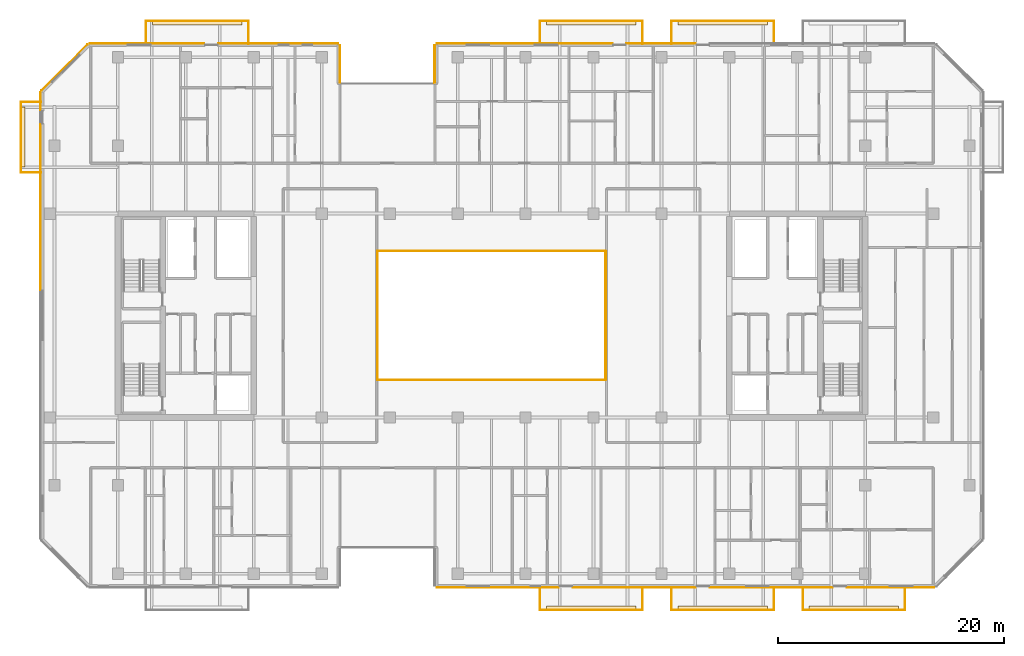
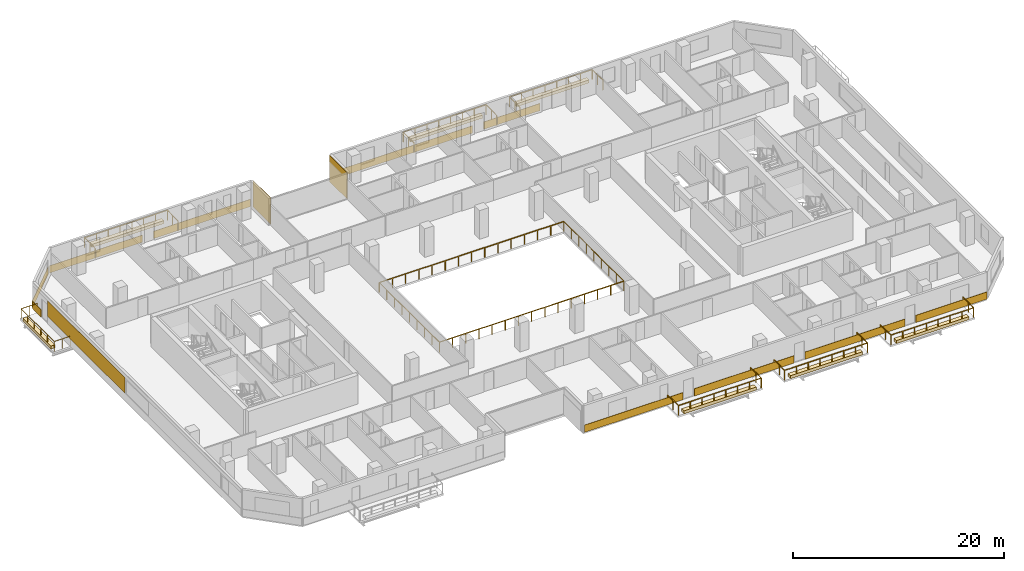
# One storey, part 21 of 23: 20 coverings, 9 railings.
"""IFC4 building model written with IfcOpenShell, lengths in metres."""

from ifc_helpers import new_model, si_unit, direction, frame, origin, origin_2d, place, context, subcontext, project, spatial, polyline, rectangle, outline, extrude, material, layer, layer_set, type_object, element, save


model = new_model("IFC4")

# Units and contexts
model_context = context("Model", 3, precision=1e-05, world=origin(), true_north=direction((0.0, 1.0)))
body_context = subcontext(model_context, "Body", "Model", "MODEL_VIEW")
ifc_project = project(units=[si_unit("LENGTHUNIT", "METRE"), si_unit("AREAUNIT", "SQUARE_METRE"), si_unit("VOLUMEUNIT", "CUBIC_METRE"), si_unit("PLANEANGLEUNIT", "RADIAN"), si_unit("MASSUNIT", "GRAM", prefix="KILO")], contexts=[model_context])

# Site, building, storey
site_placement = place(None, origin())
site = spatial("IfcSite", under=ifc_project, at=site_placement, CompositionType="ELEMENT")
building_placement = place(site_placement, origin())
building = spatial("IfcBuilding", under=site, at=building_placement, Name="Tanjung Sevakor Pilgrim Tower", CompositionType="ELEMENT")
storey_placement = place(building_placement, frame((0.0, 0.0, 88.77001953125)))
storey = spatial("IfcBuildingStorey", under=building, at=storey_placement, Name="L24", CompositionType="ELEMENT", Elevation=88.77001953125)

# Coverings
ifc_material_1 = material(Name="Reconstructed Limestone Cladding", Category="masonry")
ifc_layer_1 = layer(ifc_material_1, 0.044921875)
ifc_layer_set_1 = layer_set([ifc_layer_1], Name="COV-CLAD-LIMESTONE")
covering_type_1 = type_object("IfcCoveringType", Name="COV-CLAD-LIMESTONE", PredefinedType="CLADDING", material=ifc_layer_set_1)
covering_1_placement = place(storey_placement, frame((57.552490234375, 9.577392578125, 0.009765625), z_axis=(0.0, 0.0, 1.0), x_axis=(1.0, 0.0, 0.0)))
element("IfcCovering", 1, at=covering_1_placement, inside=storey, type_object=covering_type_1, Name="L24 Warm Limestone Sill Spandrel EW-L24-MAIN-5-1", PredefinedType="CLADDING", context=body_context, shape_type="SweptSolid", body=[
    extrude(rectangle(XDim=10.77490234375, YDim=0.044921875, at=origin_2d()), origin(), (0.0, 0.0, 1.0), 0.840087890625),
])
for number, where, z_axis, x_axis, name in (
    (2, (69.60009765625, 9.577392578125, 0.009765625), (0.0, 0.0, 1.0), (1.0, 0.0, 0.0), "L24 Warm Limestone Sill Spandrel EW-L24-MAIN-5-2"),
    (3, (81.699951171875, 9.577392578125, 0.009765625), (0.0, 0.0, 1.0), (1.0, 0.0, 0.0), "L24 Warm Limestone Sill Spandrel EW-L24-MAIN-5-3"),
):
    element("IfcCovering", number, at=place(storey_placement, frame(where, z_axis=z_axis, x_axis=x_axis)), inside=storey, type_object=covering_type_1, Name=name, PredefinedType="CLADDING", context=body_context, shape_type="SweptSolid", body=[
        extrude(rectangle(XDim=10.8798828125, YDim=0.044921875, at=origin_2d()), origin(), (0.0, 0.0, 1.0), 0.840087890625),
    ])
covering_2_placement = place(storey_placement, frame((92.234130859375, 9.577392578125, 0.009765625), z_axis=(0.0, 0.0, 1.0), x_axis=(1.0, 0.0, 0.0)))
element("IfcCovering", 4, at=covering_2_placement, inside=storey, type_object=covering_type_1, Name="L24 Warm Limestone Sill Spandrel EW-L24-MAIN-5-4", PredefinedType="CLADDING", context=body_context, shape_type="SweptSolid", body=[
    extrude(rectangle(XDim=7.748291015625, YDim=0.044921875, at=origin_2d()), origin(), (0.0, 0.0, 1.0), 0.840087890625),
])
covering_3_placement = place(storey_placement, frame((71.97509765625, 57.62255859375, 0.009765625), z_axis=(0.0, 0.0, 1.0), x_axis=(-1.0, 0.0, 0.0)))
element("IfcCovering", 5, at=covering_3_placement, inside=storey, type_object=covering_type_1, Name="L24 Warm Limestone Sill Spandrel EW-L24-MAIN-9-3", PredefinedType="CLADDING", context=body_context, shape_type="SweptSolid", body=[
    extrude(rectangle(XDim=6.1298828125, YDim=0.044921875, at=origin_2d()), origin(), (0.0, 0.0, 1.0), 0.840087890625),
])
covering_4_placement = place(storey_placement, frame((59.927490234375, 57.62255859375, 0.009765625), z_axis=(0.0, 0.0, 1.0), x_axis=(-1.0, 0.0, 0.0)))
element("IfcCovering", 6, at=covering_4_placement, inside=storey, type_object=covering_type_1, Name="L24 Warm Limestone Sill Spandrel EW-L24-MAIN-9-4", PredefinedType="CLADDING", context=body_context, shape_type="SweptSolid", body=[
    extrude(rectangle(XDim=15.52490234375, YDim=0.044921875, at=origin_2d()), origin(), (0.0, 0.0, 1.0), 0.840087890625),
])
for number, where, z_axis, x_axis, name in (
    (7, (51.9775390625, 55.77490234375, 0.02001953125), (0.0, 0.0, 1.0), (0.0, -1.0, 0.0), "L24 Warm Limestone Wall Cladding EW-L24-MAIN-10"),
    (8, (43.62255859375, 55.77490234375, 0.02001953125), (0.0, 0.0, 1.0), (0.0, 1.0, 0.0), "L24 Warm Limestone Wall Cladding EW-L24-MAIN-12"),
):
    element("IfcCovering", number, at=place(storey_placement, frame(where, z_axis=z_axis, x_axis=x_axis)), inside=storey, type_object=covering_type_1, Name=name, PredefinedType="CLADDING", context=body_context, shape_type="SweptSolid", body=[
        extrude(rectangle(XDim=3.360107421875, YDim=0.044921875, at=origin_2d()), origin(), (0.0, 0.0, 1.0), 3.0400390625),
    ])
covering_5_placement = place(storey_placement, frame((38.1474609375, 57.62255859375, 0.009765625), z_axis=(0.0, 0.0, 1.0), x_axis=(-1.0, 0.0, 0.0)))
element("IfcCovering", 9, at=covering_5_placement, inside=storey, type_object=covering_type_1, Name="L24 Warm Limestone Sill Spandrel EW-L24-MAIN-13-1", PredefinedType="CLADDING", context=body_context, shape_type="SweptSolid", body=[
    extrude(rectangle(XDim=10.574951171875, YDim=0.044921875, at=origin_2d()), origin(), (0.0, 0.0, 1.0), 0.840087890625),
])
covering_6_placement = place(storey_placement, frame((26.56591796875, 57.62255859375, 0.009765625), z_axis=(0.0, 0.0, 1.0), x_axis=(-1.0, 0.0, 0.0)))
element("IfcCovering", 10, at=covering_6_placement, inside=storey, type_object=covering_type_1, Name="L24 Warm Limestone Sill Spandrel EW-L24-MAIN-13-2", PredefinedType="CLADDING", context=body_context, shape_type="SweptSolid", body=[
    extrude(rectangle(XDim=10.148193359375, YDim=0.044921875, at=origin_2d()), origin(), (0.0, 0.0, 1.0), 0.840087890625),
])
covering_7_placement = place(storey_placement, frame((19.2841796875, 55.515869140625, 0.009765625), z_axis=(0.0, 0.0, 1.0), x_axis=(-0.707106781187, -0.707106781187, 0.0)))
element("IfcCovering", 11, at=covering_7_placement, inside=storey, type_object=covering_type_1, Name="L24 Warm Limestone Sill Spandrel EW-CHM-L24-MAIN-13-1", PredefinedType="CLADDING", context=body_context, shape_type="SweptSolid", body=[
    extrude(rectangle(XDim=5.756103515625, YDim=0.044921875, at=origin_2d()), origin(), (0.0, 0.0, 1.0), 0.840087890625),
])
covering_8_placement = place(storey_placement, frame((17.177490234375, 52.509033203125, 0.009765625), z_axis=(0.0, 0.0, 1.0), x_axis=(0.0, -1.0, 0.0)))
element("IfcCovering", 12, at=covering_8_placement, inside=storey, type_object=covering_type_1, Name="L24 Warm Limestone Sill Spandrel EW-L24-MAIN-15-1", PredefinedType="CLADDING", context=body_context, shape_type="SweptSolid", body=[
    extrude(rectangle(XDim=1.59814453125, YDim=0.044921875, at=origin_2d()), origin(), (0.0, 0.0, 1.0), 0.840087890625),
])
covering_9_placement = place(storey_placement, frame((17.177490234375, 43.175048828125, 0.849853515625), z_axis=(0.0, 0.0, 1.0), x_axis=(0.0, -1.0, 0.0)))
element("IfcCovering", 13, at=covering_9_placement, inside=storey, type_object=covering_type_1, Name="L24 Warm Limestone Pier Panel EW-L24-MAIN-15-1", PredefinedType="CLADDING", context=body_context, shape_type="SweptSolid", body=[
    extrude(rectangle(XDim=14.64990234375, YDim=0.044921875, at=origin_2d()), origin(), (0.0, 0.0, 1.0), 1.81005859375),
])
ifc_material_2 = material(Name="Vegetated Modular Planter Assembly", Category="organic")
ifc_layer_2 = layer(ifc_material_2, 0.35009765625)
ifc_layer_set_2 = layer_set([ifc_layer_2], Name="COV-GRN-TROUGH")
covering_type_2 = type_object("IfcCoveringType", Name="COV-GRN-TROUGH", PredefinedType="CLADDING", material=ifc_layer_set_2)
covering_10_placement = place(storey_placement, origin())
element("IfcCovering", 14, at=covering_10_placement, inside=storey, type_object=covering_type_2, Name="L24 Planted Landscape Hedge Trough BGRN-L24-MAIN-N1", PredefinedType="CLADDING", context=body_context, shape_type="SweptSolid", body=[
    extrude(outline(polyline([(27.050048828125, 59.260009765625), (34.949951171875, 59.260009765625), (34.949951171875, 59.699951171875), (27.050048828125, 59.699951171875), (27.050048828125, 59.260009765625)])), origin(), (0.0, 0.0, 1.0), 0.35009765625),
])
covering_11_placement = place(storey_placement, origin())
element("IfcCovering", 15, at=covering_11_placement, inside=storey, type_object=covering_type_2, Name="L24 Planted Landscape Hedge Trough BGRN-L24-MAIN-S2", PredefinedType="CLADDING", context=body_context, shape_type="SweptSolid", body=[
    extrude(outline(polyline([(61.85009765625, 7.5), (69.75, 7.5), (69.75, 7.93994140625), (61.85009765625, 7.93994140625), (61.85009765625, 7.5)])), origin(), (0.0, 0.0, 1.0), 0.35009765625),
])
covering_12_placement = place(storey_placement, origin())
element("IfcCovering", 16, at=covering_12_placement, inside=storey, type_object=covering_type_2, Name="L24 Planted Landscape Hedge Trough BGRN-L24-MAIN-N2", PredefinedType="CLADDING", context=body_context, shape_type="SweptSolid", body=[
    extrude(outline(polyline([(61.85009765625, 59.260009765625), (69.75, 59.260009765625), (69.75, 59.699951171875), (61.85009765625, 59.699951171875), (61.85009765625, 59.260009765625)])), origin(), (0.0, 0.0, 1.0), 0.35009765625),
])
covering_13_placement = place(storey_placement, origin())
element("IfcCovering", 17, at=covering_13_placement, inside=storey, type_object=covering_type_2, Name="L24 Planted Landscape Hedge Trough BGRN-L24-MAIN-S3", PredefinedType="CLADDING", context=body_context, shape_type="SweptSolid", body=[
    extrude(outline(polyline([(73.449951171875, 7.5), (81.35009765625, 7.5), (81.35009765625, 7.93994140625), (73.449951171875, 7.93994140625), (73.449951171875, 7.5)])), origin(), (0.0, 0.0, 1.0), 0.35009765625),
])
covering_14_placement = place(storey_placement, origin())
element("IfcCovering", 18, at=covering_14_placement, inside=storey, type_object=covering_type_2, Name="L24 Planted Landscape Hedge Trough BGRN-L24-MAIN-N3", PredefinedType="CLADDING", context=body_context, shape_type="SweptSolid", body=[
    extrude(outline(polyline([(73.449951171875, 59.260009765625), (81.35009765625, 59.260009765625), (81.35009765625, 59.699951171875), (73.449951171875, 59.699951171875), (73.449951171875, 59.260009765625)])), origin(), (0.0, 0.0, 1.0), 0.35009765625),
])
covering_15_placement = place(storey_placement, origin())
element("IfcCovering", 19, at=covering_15_placement, inside=storey, type_object=covering_type_2, Name="L24 Planted Landscape Hedge Trough BGRN-L24-MAIN-S4", PredefinedType="CLADDING", context=body_context, shape_type="SweptSolid", body=[
    extrude(outline(polyline([(85.050048828125, 7.5), (92.949951171875, 7.5), (92.949951171875, 7.93994140625), (85.050048828125, 7.93994140625), (85.050048828125, 7.5)])), origin(), (0.0, 0.0, 1.0), 0.35009765625),
])
covering_16_placement = place(storey_placement, origin())
element("IfcCovering", 20, at=covering_16_placement, inside=storey, type_object=covering_type_2, Name="L24 Planted Landscape Hedge Trough BGRN-L24-MAIN-W1", PredefinedType="CLADDING", context=body_context, shape_type="SweptSolid", body=[
    extrude(outline(polyline([(15.7900390625, 46.699951171875), (15.7900390625, 52.0), (15.35009765625, 52.0), (15.35009765625, 46.699951171875), (15.7900390625, 46.699951171875)])), origin(), (0.0, 0.0, 1.0), 0.35009765625),
])

# Railings
ifc_material_3 = material(Name="Laminated Glass and Aluminium", Category="aluminium")
railing_type = type_object("IfcRailingType", Name="RL-BAL-BALUST", PredefinedType="BALUSTRADE", material=ifc_material_3)
railing_1_placement = place(storey_placement, frame((46.919921875, 27.919921875, 0.0)))
element("IfcRailing", 21, at=railing_1_placement, inside=storey, type_object=railing_type, Name="L24 Void Opening Balustrade 1A", PredefinedType="BALUSTRADE", context=body_context, shape_type="SweptSolid", body=[
    extrude(rectangle(XDim=0.0479, YDim=0.0479), frame((0.0, 0.0, 1.1259765625), z_axis=(1.0, 0.0, 0.0), x_axis=(0.0, 1.0, 0.0)), (0.0, 0.0, 1.0), 20.16015625),
    extrude(rectangle(XDim=0.0479, YDim=0.0479), frame((20.16015625, 0.0, 1.1259765625), z_axis=(0.0, 1.0, 0.0), x_axis=(-1.0, 0.0, 0.0)), (0.0, 0.0, 1.0), 11.360107421875),
    extrude(rectangle(XDim=0.042, YDim=0.042), origin(), (0.0, 0.0, 1.0), 1.101806640625),
    extrude(rectangle(XDim=0.042, YDim=0.042), frame((1.43994140625, 0.0, 0.0)), (0.0, 0.0, 1.0), 1.101806640625),
    extrude(rectangle(XDim=0.042, YDim=0.042), frame((2.880126953125, 0.0, 0.0)), (0.0, 0.0, 1.0), 1.101806640625),
    extrude(rectangle(XDim=0.042, YDim=0.042), frame((4.320068359375, 0.0, 0.0)), (0.0, 0.0, 1.0), 1.101806640625),
    extrude(rectangle(XDim=0.042, YDim=0.042), frame((5.760009765625, 0.0, 0.0)), (0.0, 0.0, 1.0), 1.101806640625),
    extrude(rectangle(XDim=0.042, YDim=0.042), frame((7.199951171875, 0.0, 0.0)), (0.0, 0.0, 1.0), 1.101806640625),
    extrude(rectangle(XDim=0.042, YDim=0.042), frame((8.64013671875, 0.0, 0.0)), (0.0, 0.0, 1.0), 1.101806640625),
    extrude(rectangle(XDim=0.042, YDim=0.042), frame((10.080078125, 0.0, 0.0)), (0.0, 0.0, 1.0), 1.101806640625),
    extrude(rectangle(XDim=0.042, YDim=0.042), frame((11.52001953125, 0.0, 0.0)), (0.0, 0.0, 1.0), 1.101806640625),
    extrude(rectangle(XDim=0.042, YDim=0.042), frame((12.960205078125, 0.0, 0.0)), (0.0, 0.0, 1.0), 1.101806640625),
    extrude(rectangle(XDim=0.042, YDim=0.042), frame((14.400146484375, 0.0, 0.0)), (0.0, 0.0, 1.0), 1.101806640625),
    extrude(rectangle(XDim=0.042, YDim=0.042), frame((15.840087890625, 0.0, 0.0)), (0.0, 0.0, 1.0), 1.101806640625),
    extrude(rectangle(XDim=0.042, YDim=0.042), frame((17.280029296875, 0.0, 0.0)), (0.0, 0.0, 1.0), 1.101806640625),
    extrude(rectangle(XDim=0.042, YDim=0.042), frame((18.72021484375, 0.0, 0.0)), (0.0, 0.0, 1.0), 1.101806640625),
    extrude(rectangle(XDim=0.042, YDim=0.042), frame((20.16015625, 0.0, 0.0)), (0.0, 0.0, 1.0), 1.101806640625),
    extrude(rectangle(XDim=0.042, YDim=0.042), frame((20.16015625, 1.419921875, 0.0)), (0.0, 0.0, 1.0), 1.101806640625),
    extrude(rectangle(XDim=0.042, YDim=0.042), frame((20.16015625, 2.840087890625, 0.0)), (0.0, 0.0, 1.0), 1.101806640625),
    extrude(rectangle(XDim=0.042, YDim=0.042), frame((20.16015625, 4.260009765625, 0.0)), (0.0, 0.0, 1.0), 1.101806640625),
    extrude(rectangle(XDim=0.042, YDim=0.042), frame((20.16015625, 5.68017578125, 0.0)), (0.0, 0.0, 1.0), 1.101806640625),
    extrude(rectangle(XDim=0.042, YDim=0.042), frame((20.16015625, 7.10009765625, 0.0)), (0.0, 0.0, 1.0), 1.101806640625),
    extrude(rectangle(XDim=0.042, YDim=0.042), frame((20.16015625, 8.52001953125, 0.0)), (0.0, 0.0, 1.0), 1.101806640625),
    extrude(rectangle(XDim=0.042, YDim=0.042), frame((20.16015625, 9.940185546875, 0.0)), (0.0, 0.0, 1.0), 1.101806640625),
    extrude(rectangle(XDim=0.042, YDim=0.042), frame((20.16015625, 11.360107421875, 0.0)), (0.0, 0.0, 1.0), 1.101806640625),
])
railing_2_placement = place(storey_placement, frame((67.080078125, 39.280029296875, 0.0)))
element("IfcRailing", 22, at=railing_2_placement, inside=storey, type_object=railing_type, Name="L24 Void Opening Balustrade 1B", PredefinedType="BALUSTRADE", context=body_context, shape_type="SweptSolid", body=[
    extrude(rectangle(XDim=0.0479, YDim=0.0479), frame((0.0, 0.0, 1.1259765625), z_axis=(-1.0, 0.0, 0.0), x_axis=(0.0, -1.0, 0.0)), (0.0, 0.0, 1.0), 20.16015625),
    extrude(rectangle(XDim=0.0479, YDim=0.0479), frame((-20.16015625, 0.0, 1.1259765625), z_axis=(0.0, -1.0, 0.0), x_axis=(1.0, 0.0, 0.0)), (0.0, 0.0, 1.0), 11.360107421875),
    extrude(rectangle(XDim=0.042, YDim=0.042), origin(), (0.0, 0.0, 1.0), 1.101806640625),
    extrude(rectangle(XDim=0.042, YDim=0.042), frame((-1.43994140625, 0.0, 0.0)), (0.0, 0.0, 1.0), 1.101806640625),
    extrude(rectangle(XDim=0.042, YDim=0.042), frame((-2.880126953125, 0.0, 0.0)), (0.0, 0.0, 1.0), 1.101806640625),
    extrude(rectangle(XDim=0.042, YDim=0.042), frame((-4.320068359375, 0.0, 0.0)), (0.0, 0.0, 1.0), 1.101806640625),
    extrude(rectangle(XDim=0.042, YDim=0.042), frame((-5.760009765625, 0.0, 0.0)), (0.0, 0.0, 1.0), 1.101806640625),
    extrude(rectangle(XDim=0.042, YDim=0.042), frame((-7.199951171875, 0.0, 0.0)), (0.0, 0.0, 1.0), 1.101806640625),
    extrude(rectangle(XDim=0.042, YDim=0.042), frame((-8.64013671875, 0.0, 0.0)), (0.0, 0.0, 1.0), 1.101806640625),
    extrude(rectangle(XDim=0.042, YDim=0.042), frame((-10.080078125, 0.0, 0.0)), (0.0, 0.0, 1.0), 1.101806640625),
    extrude(rectangle(XDim=0.042, YDim=0.042), frame((-11.52001953125, 0.0, 0.0)), (0.0, 0.0, 1.0), 1.101806640625),
    extrude(rectangle(XDim=0.042, YDim=0.042), frame((-12.960205078125, 0.0, 0.0)), (0.0, 0.0, 1.0), 1.101806640625),
    extrude(rectangle(XDim=0.042, YDim=0.042), frame((-14.400146484375, 0.0, 0.0)), (0.0, 0.0, 1.0), 1.101806640625),
    extrude(rectangle(XDim=0.042, YDim=0.042), frame((-15.840087890625, 0.0, 0.0)), (0.0, 0.0, 1.0), 1.101806640625),
    extrude(rectangle(XDim=0.042, YDim=0.042), frame((-17.280029296875, 0.0, 0.0)), (0.0, 0.0, 1.0), 1.101806640625),
    extrude(rectangle(XDim=0.042, YDim=0.042), frame((-18.72021484375, 0.0, 0.0)), (0.0, 0.0, 1.0), 1.101806640625),
    extrude(rectangle(XDim=0.042, YDim=0.042), frame((-20.16015625, 0.0, 0.0)), (0.0, 0.0, 1.0), 1.101806640625),
    extrude(rectangle(XDim=0.042, YDim=0.042), frame((-20.16015625, -1.419921875, 0.0)), (0.0, 0.0, 1.0), 1.101806640625),
    extrude(rectangle(XDim=0.042, YDim=0.042), frame((-20.16015625, -2.840087890625, 0.0)), (0.0, 0.0, 1.0), 1.101806640625),
    extrude(rectangle(XDim=0.042, YDim=0.042), frame((-20.16015625, -4.260009765625, 0.0)), (0.0, 0.0, 1.0), 1.101806640625),
    extrude(rectangle(XDim=0.042, YDim=0.042), frame((-20.16015625, -5.68017578125, 0.0)), (0.0, 0.0, 1.0), 1.101806640625),
    extrude(rectangle(XDim=0.042, YDim=0.042), frame((-20.16015625, -7.10009765625, 0.0)), (0.0, 0.0, 1.0), 1.101806640625),
    extrude(rectangle(XDim=0.042, YDim=0.042), frame((-20.16015625, -8.52001953125, 0.0)), (0.0, 0.0, 1.0), 1.101806640625),
    extrude(rectangle(XDim=0.042, YDim=0.042), frame((-20.16015625, -9.940185546875, 0.0)), (0.0, 0.0, 1.0), 1.101806640625),
    extrude(rectangle(XDim=0.042, YDim=0.042), frame((-20.16015625, -11.360107421875, 0.0)), (0.0, 0.0, 1.0), 1.101806640625),
])
railing_3_placement = place(storey_placement, frame((26.47998046875, 57.60009765625, 0.0)))
element("IfcRailing", 23, at=railing_3_placement, inside=storey, type_object=railing_type, Name="L24 Loggia Balustrade MAIN-N1", PredefinedType="BALUSTRADE", context=body_context, shape_type="SweptSolid", body=[
    extrude(rectangle(XDim=0.0479, YDim=0.0479), frame((0.0, 0.0, 1.1259765625), z_axis=(0.0, 1.0, 0.0), x_axis=(-1.0, 0.0, 0.0)), (0.0, 0.0, 1.0), 2.02001953125),
    extrude(rectangle(XDim=0.0479, YDim=0.0479), frame((0.0, 2.02001953125, 1.1259765625), z_axis=(1.0, 0.0, 0.0), x_axis=(0.0, 1.0, 0.0)), (0.0, 0.0, 1.0), 9.0400390625),
    extrude(rectangle(XDim=0.0479, YDim=0.0479), frame((9.0400390625, 2.02001953125, 1.1259765625), z_axis=(0.0, -1.0, 0.0), x_axis=(1.0, 0.0, 0.0)), (0.0, 0.0, 1.0), 2.02001953125),
    extrude(rectangle(XDim=0.042, YDim=0.042), origin(), (0.0, 0.0, 1.0), 1.101806640625),
    extrude(rectangle(XDim=0.042, YDim=0.042), frame((0.0, 1.010009765625, 0.0)), (0.0, 0.0, 1.0), 1.101806640625),
    extrude(rectangle(XDim=0.042, YDim=0.042), frame((0.0, 2.02001953125, 0.0)), (0.0, 0.0, 1.0), 1.101806640625),
    extrude(rectangle(XDim=0.042, YDim=0.042), frame((1.29150390625, 2.02001953125, 0.0)), (0.0, 0.0, 1.0), 1.101806640625),
    extrude(rectangle(XDim=0.042, YDim=0.042), frame((2.582763671875, 2.02001953125, 0.0)), (0.0, 0.0, 1.0), 1.101806640625),
    extrude(rectangle(XDim=0.042, YDim=0.042), frame((3.874267578125, 2.02001953125, 0.0)), (0.0, 0.0, 1.0), 1.101806640625),
    extrude(rectangle(XDim=0.042, YDim=0.042), frame((5.165771484375, 2.02001953125, 0.0)), (0.0, 0.0, 1.0), 1.101806640625),
    extrude(rectangle(XDim=0.042, YDim=0.042), frame((6.457275390625, 2.02001953125, 0.0)), (0.0, 0.0, 1.0), 1.101806640625),
    extrude(rectangle(XDim=0.042, YDim=0.042), frame((7.74853515625, 2.02001953125, 0.0)), (0.0, 0.0, 1.0), 1.101806640625),
    extrude(rectangle(XDim=0.042, YDim=0.042), frame((9.0400390625, 2.02001953125, 0.0)), (0.0, 0.0, 1.0), 1.101806640625),
    extrude(rectangle(XDim=0.042, YDim=0.042), frame((9.0400390625, 1.010009765625, 0.0)), (0.0, 0.0, 1.0), 1.101806640625),
    extrude(rectangle(XDim=0.042, YDim=0.042), frame((9.0400390625, 0.0, 0.0)), (0.0, 0.0, 1.0), 1.101806640625),
])
railing_4_placement = place(storey_placement, frame((61.280029296875, 9.60009765625, 0.0)))
element("IfcRailing", 24, at=railing_4_placement, inside=storey, type_object=railing_type, Name="L24 Loggia Balustrade MAIN-S2", PredefinedType="BALUSTRADE", context=body_context, shape_type="SweptSolid", body=[
    extrude(rectangle(XDim=0.0479, YDim=0.0479), frame((0.0, 0.0, 1.1259765625), z_axis=(0.0, -1.0, 0.0), x_axis=(1.0, 0.0, 0.0)), (0.0, 0.0, 1.0), 2.02001953125),
    extrude(rectangle(XDim=0.0479, YDim=0.0479), frame((0.0, -2.02001953125, 1.1259765625), z_axis=(1.0, 0.0, 0.0), x_axis=(0.0, 1.0, 0.0)), (0.0, 0.0, 1.0), 9.0400390625),
    extrude(rectangle(XDim=0.0479, YDim=0.0479), frame((9.0400390625, -2.02001953125, 1.1259765625), z_axis=(0.0, 1.0, 0.0), x_axis=(-1.0, 0.0, 0.0)), (0.0, 0.0, 1.0), 2.02001953125),
    extrude(rectangle(XDim=0.042, YDim=0.042), origin(), (0.0, 0.0, 1.0), 1.101806640625),
    extrude(rectangle(XDim=0.042, YDim=0.042), frame((0.0, -1.010009765625, 0.0)), (0.0, 0.0, 1.0), 1.101806640625),
    extrude(rectangle(XDim=0.042, YDim=0.042), frame((0.0, -2.02001953125, 0.0)), (0.0, 0.0, 1.0), 1.101806640625),
    extrude(rectangle(XDim=0.042, YDim=0.042), frame((1.29150390625, -2.02001953125, 0.0)), (0.0, 0.0, 1.0), 1.101806640625),
    extrude(rectangle(XDim=0.042, YDim=0.042), frame((2.582763671875, -2.02001953125, 0.0)), (0.0, 0.0, 1.0), 1.101806640625),
    extrude(rectangle(XDim=0.042, YDim=0.042), frame((3.874267578125, -2.02001953125, 0.0)), (0.0, 0.0, 1.0), 1.101806640625),
    extrude(rectangle(XDim=0.042, YDim=0.042), frame((5.165771484375, -2.02001953125, 0.0)), (0.0, 0.0, 1.0), 1.101806640625),
    extrude(rectangle(XDim=0.042, YDim=0.042), frame((6.457275390625, -2.02001953125, 0.0)), (0.0, 0.0, 1.0), 1.101806640625),
    extrude(rectangle(XDim=0.042, YDim=0.042), frame((7.74853515625, -2.02001953125, 0.0)), (0.0, 0.0, 1.0), 1.101806640625),
    extrude(rectangle(XDim=0.042, YDim=0.042), frame((9.0400390625, -2.02001953125, 0.0)), (0.0, 0.0, 1.0), 1.101806640625),
    extrude(rectangle(XDim=0.042, YDim=0.042), frame((9.0400390625, -1.010009765625, 0.0)), (0.0, 0.0, 1.0), 1.101806640625),
    extrude(rectangle(XDim=0.042, YDim=0.042), frame((9.0400390625, 0.0, 0.0)), (0.0, 0.0, 1.0), 1.101806640625),
])
railing_5_placement = place(storey_placement, frame((61.280029296875, 57.60009765625, 0.0)))
element("IfcRailing", 25, at=railing_5_placement, inside=storey, type_object=railing_type, Name="L24 Loggia Balustrade MAIN-N2", PredefinedType="BALUSTRADE", context=body_context, shape_type="SweptSolid", body=[
    extrude(rectangle(XDim=0.0479, YDim=0.0479), frame((0.0, 0.0, 1.1259765625), z_axis=(0.0, 1.0, 0.0), x_axis=(-1.0, 0.0, 0.0)), (0.0, 0.0, 1.0), 2.02001953125),
    extrude(rectangle(XDim=0.0479, YDim=0.0479), frame((0.0, 2.02001953125, 1.1259765625), z_axis=(1.0, 0.0, 0.0), x_axis=(0.0, 1.0, 0.0)), (0.0, 0.0, 1.0), 9.0400390625),
    extrude(rectangle(XDim=0.0479, YDim=0.0479), frame((9.0400390625, 2.02001953125, 1.1259765625), z_axis=(0.0, -1.0, 0.0), x_axis=(1.0, 0.0, 0.0)), (0.0, 0.0, 1.0), 2.02001953125),
    extrude(rectangle(XDim=0.042, YDim=0.042), origin(), (0.0, 0.0, 1.0), 1.101806640625),
    extrude(rectangle(XDim=0.042, YDim=0.042), frame((0.0, 1.010009765625, 0.0)), (0.0, 0.0, 1.0), 1.101806640625),
    extrude(rectangle(XDim=0.042, YDim=0.042), frame((0.0, 2.02001953125, 0.0)), (0.0, 0.0, 1.0), 1.101806640625),
    extrude(rectangle(XDim=0.042, YDim=0.042), frame((1.29150390625, 2.02001953125, 0.0)), (0.0, 0.0, 1.0), 1.101806640625),
    extrude(rectangle(XDim=0.042, YDim=0.042), frame((2.582763671875, 2.02001953125, 0.0)), (0.0, 0.0, 1.0), 1.101806640625),
    extrude(rectangle(XDim=0.042, YDim=0.042), frame((3.874267578125, 2.02001953125, 0.0)), (0.0, 0.0, 1.0), 1.101806640625),
    extrude(rectangle(XDim=0.042, YDim=0.042), frame((5.165771484375, 2.02001953125, 0.0)), (0.0, 0.0, 1.0), 1.101806640625),
    extrude(rectangle(XDim=0.042, YDim=0.042), frame((6.457275390625, 2.02001953125, 0.0)), (0.0, 0.0, 1.0), 1.101806640625),
    extrude(rectangle(XDim=0.042, YDim=0.042), frame((7.74853515625, 2.02001953125, 0.0)), (0.0, 0.0, 1.0), 1.101806640625),
    extrude(rectangle(XDim=0.042, YDim=0.042), frame((9.0400390625, 2.02001953125, 0.0)), (0.0, 0.0, 1.0), 1.101806640625),
    extrude(rectangle(XDim=0.042, YDim=0.042), frame((9.0400390625, 1.010009765625, 0.0)), (0.0, 0.0, 1.0), 1.101806640625),
    extrude(rectangle(XDim=0.042, YDim=0.042), frame((9.0400390625, 0.0, 0.0)), (0.0, 0.0, 1.0), 1.101806640625),
])
railing_6_placement = place(storey_placement, frame((72.8798828125, 9.60009765625, 0.0)))
element("IfcRailing", 26, at=railing_6_placement, inside=storey, type_object=railing_type, Name="L24 Loggia Balustrade MAIN-S3", PredefinedType="BALUSTRADE", context=body_context, shape_type="SweptSolid", body=[
    extrude(rectangle(XDim=0.0479, YDim=0.0479), frame((0.0, 0.0, 1.1259765625), z_axis=(0.0, -1.0, 0.0), x_axis=(1.0, 0.0, 0.0)), (0.0, 0.0, 1.0), 2.02001953125),
    extrude(rectangle(XDim=0.0479, YDim=0.0479), frame((0.0, -2.02001953125, 1.1259765625), z_axis=(1.0, 0.0, 0.0), x_axis=(0.0, 1.0, 0.0)), (0.0, 0.0, 1.0), 9.0400390625),
    extrude(rectangle(XDim=0.0479, YDim=0.0479), frame((9.0400390625, -2.02001953125, 1.1259765625), z_axis=(0.0, 1.0, 0.0), x_axis=(-1.0, 0.0, 0.0)), (0.0, 0.0, 1.0), 2.02001953125),
    extrude(rectangle(XDim=0.042, YDim=0.042), origin(), (0.0, 0.0, 1.0), 1.101806640625),
    extrude(rectangle(XDim=0.042, YDim=0.042), frame((0.0, -1.010009765625, 0.0)), (0.0, 0.0, 1.0), 1.101806640625),
    extrude(rectangle(XDim=0.042, YDim=0.042), frame((0.0, -2.02001953125, 0.0)), (0.0, 0.0, 1.0), 1.101806640625),
    extrude(rectangle(XDim=0.042, YDim=0.042), frame((1.29150390625, -2.02001953125, 0.0)), (0.0, 0.0, 1.0), 1.101806640625),
    extrude(rectangle(XDim=0.042, YDim=0.042), frame((2.582763671875, -2.02001953125, 0.0)), (0.0, 0.0, 1.0), 1.101806640625),
    extrude(rectangle(XDim=0.042, YDim=0.042), frame((3.874267578125, -2.02001953125, 0.0)), (0.0, 0.0, 1.0), 1.101806640625),
    extrude(rectangle(XDim=0.042, YDim=0.042), frame((5.165771484375, -2.02001953125, 0.0)), (0.0, 0.0, 1.0), 1.101806640625),
    extrude(rectangle(XDim=0.042, YDim=0.042), frame((6.457275390625, -2.02001953125, 0.0)), (0.0, 0.0, 1.0), 1.101806640625),
    extrude(rectangle(XDim=0.042, YDim=0.042), frame((7.74853515625, -2.02001953125, 0.0)), (0.0, 0.0, 1.0), 1.101806640625),
    extrude(rectangle(XDim=0.042, YDim=0.042), frame((9.0400390625, -2.02001953125, 0.0)), (0.0, 0.0, 1.0), 1.101806640625),
    extrude(rectangle(XDim=0.042, YDim=0.042), frame((9.0400390625, -1.010009765625, 0.0)), (0.0, 0.0, 1.0), 1.101806640625),
    extrude(rectangle(XDim=0.042, YDim=0.042), frame((9.0400390625, 0.0, 0.0)), (0.0, 0.0, 1.0), 1.101806640625),
])
railing_7_placement = place(storey_placement, frame((72.8798828125, 57.60009765625, 0.0)))
element("IfcRailing", 27, at=railing_7_placement, inside=storey, type_object=railing_type, Name="L24 Loggia Balustrade MAIN-N3", PredefinedType="BALUSTRADE", context=body_context, shape_type="SweptSolid", body=[
    extrude(rectangle(XDim=0.0479, YDim=0.0479), frame((0.0, 0.0, 1.1259765625), z_axis=(0.0, 1.0, 0.0), x_axis=(-1.0, 0.0, 0.0)), (0.0, 0.0, 1.0), 2.02001953125),
    extrude(rectangle(XDim=0.0479, YDim=0.0479), frame((0.0, 2.02001953125, 1.1259765625), z_axis=(1.0, 0.0, 0.0), x_axis=(0.0, 1.0, 0.0)), (0.0, 0.0, 1.0), 9.0400390625),
    extrude(rectangle(XDim=0.0479, YDim=0.0479), frame((9.0400390625, 2.02001953125, 1.1259765625), z_axis=(0.0, -1.0, 0.0), x_axis=(1.0, 0.0, 0.0)), (0.0, 0.0, 1.0), 2.02001953125),
    extrude(rectangle(XDim=0.042, YDim=0.042), origin(), (0.0, 0.0, 1.0), 1.101806640625),
    extrude(rectangle(XDim=0.042, YDim=0.042), frame((0.0, 1.010009765625, 0.0)), (0.0, 0.0, 1.0), 1.101806640625),
    extrude(rectangle(XDim=0.042, YDim=0.042), frame((0.0, 2.02001953125, 0.0)), (0.0, 0.0, 1.0), 1.101806640625),
    extrude(rectangle(XDim=0.042, YDim=0.042), frame((1.29150390625, 2.02001953125, 0.0)), (0.0, 0.0, 1.0), 1.101806640625),
    extrude(rectangle(XDim=0.042, YDim=0.042), frame((2.582763671875, 2.02001953125, 0.0)), (0.0, 0.0, 1.0), 1.101806640625),
    extrude(rectangle(XDim=0.042, YDim=0.042), frame((3.874267578125, 2.02001953125, 0.0)), (0.0, 0.0, 1.0), 1.101806640625),
    extrude(rectangle(XDim=0.042, YDim=0.042), frame((5.165771484375, 2.02001953125, 0.0)), (0.0, 0.0, 1.0), 1.101806640625),
    extrude(rectangle(XDim=0.042, YDim=0.042), frame((6.457275390625, 2.02001953125, 0.0)), (0.0, 0.0, 1.0), 1.101806640625),
    extrude(rectangle(XDim=0.042, YDim=0.042), frame((7.74853515625, 2.02001953125, 0.0)), (0.0, 0.0, 1.0), 1.101806640625),
    extrude(rectangle(XDim=0.042, YDim=0.042), frame((9.0400390625, 2.02001953125, 0.0)), (0.0, 0.0, 1.0), 1.101806640625),
    extrude(rectangle(XDim=0.042, YDim=0.042), frame((9.0400390625, 1.010009765625, 0.0)), (0.0, 0.0, 1.0), 1.101806640625),
    extrude(rectangle(XDim=0.042, YDim=0.042), frame((9.0400390625, 0.0, 0.0)), (0.0, 0.0, 1.0), 1.101806640625),
])
railing_8_placement = place(storey_placement, frame((84.47998046875, 9.60009765625, 0.0)))
element("IfcRailing", 28, at=railing_8_placement, inside=storey, type_object=railing_type, Name="L24 Loggia Balustrade MAIN-S4", PredefinedType="BALUSTRADE", context=body_context, shape_type="SweptSolid", body=[
    extrude(rectangle(XDim=0.0479, YDim=0.0479), frame((0.0, 0.0, 1.1259765625), z_axis=(0.0, -1.0, 0.0), x_axis=(1.0, 0.0, 0.0)), (0.0, 0.0, 1.0), 2.02001953125),
    extrude(rectangle(XDim=0.0479, YDim=0.0479), frame((0.0, -2.02001953125, 1.1259765625), z_axis=(1.0, 0.0, 0.0), x_axis=(0.0, 1.0, 0.0)), (0.0, 0.0, 1.0), 9.0400390625),
    extrude(rectangle(XDim=0.0479, YDim=0.0479), frame((9.0400390625, -2.02001953125, 1.1259765625), z_axis=(0.0, 1.0, 0.0), x_axis=(-1.0, 0.0, 0.0)), (0.0, 0.0, 1.0), 2.02001953125),
    extrude(rectangle(XDim=0.042, YDim=0.042), origin(), (0.0, 0.0, 1.0), 1.101806640625),
    extrude(rectangle(XDim=0.042, YDim=0.042), frame((0.0, -1.010009765625, 0.0)), (0.0, 0.0, 1.0), 1.101806640625),
    extrude(rectangle(XDim=0.042, YDim=0.042), frame((0.0, -2.02001953125, 0.0)), (0.0, 0.0, 1.0), 1.101806640625),
    extrude(rectangle(XDim=0.042, YDim=0.042), frame((1.29150390625, -2.02001953125, 0.0)), (0.0, 0.0, 1.0), 1.101806640625),
    extrude(rectangle(XDim=0.042, YDim=0.042), frame((2.582763671875, -2.02001953125, 0.0)), (0.0, 0.0, 1.0), 1.101806640625),
    extrude(rectangle(XDim=0.042, YDim=0.042), frame((3.874267578125, -2.02001953125, 0.0)), (0.0, 0.0, 1.0), 1.101806640625),
    extrude(rectangle(XDim=0.042, YDim=0.042), frame((5.165771484375, -2.02001953125, 0.0)), (0.0, 0.0, 1.0), 1.101806640625),
    extrude(rectangle(XDim=0.042, YDim=0.042), frame((6.457275390625, -2.02001953125, 0.0)), (0.0, 0.0, 1.0), 1.101806640625),
    extrude(rectangle(XDim=0.042, YDim=0.042), frame((7.74853515625, -2.02001953125, 0.0)), (0.0, 0.0, 1.0), 1.101806640625),
    extrude(rectangle(XDim=0.042, YDim=0.042), frame((9.0400390625, -2.02001953125, 0.0)), (0.0, 0.0, 1.0), 1.101806640625),
    extrude(rectangle(XDim=0.042, YDim=0.042), frame((9.0400390625, -1.010009765625, 0.0)), (0.0, 0.0, 1.0), 1.101806640625),
    extrude(rectangle(XDim=0.042, YDim=0.042), frame((9.0400390625, 0.0, 0.0)), (0.0, 0.0, 1.0), 1.101806640625),
])
railing_9_placement = place(storey_placement, frame((17.199951171875, 46.22998046875, 0.0)))
element("IfcRailing", 29, at=railing_9_placement, inside=storey, type_object=railing_type, Name="L24 Loggia Balustrade MAIN-W1", PredefinedType="BALUSTRADE", context=body_context, shape_type="SweptSolid", body=[
    extrude(rectangle(XDim=0.0479, YDim=0.0479), frame((0.0, 0.0, 1.1259765625), z_axis=(-1.0, 0.0, 0.0), x_axis=(0.0, -1.0, 0.0)), (0.0, 0.0, 1.0), 1.77001953125),
    extrude(rectangle(XDim=0.0479, YDim=0.0479), frame((-1.77001953125, 0.0, 1.1259765625), z_axis=(0.0, 1.0, 0.0), x_axis=(-1.0, 0.0, 0.0)), (0.0, 0.0, 1.0), 6.239990234375),
    extrude(rectangle(XDim=0.0479, YDim=0.0479), frame((-1.77001953125, 6.239990234375, 1.1259765625), z_axis=(1.0, 0.0, 0.0), x_axis=(0.0, 1.0, 0.0)), (0.0, 0.0, 1.0), 1.77001953125),
    extrude(rectangle(XDim=0.042, YDim=0.042), origin(), (0.0, 0.0, 1.0), 1.101806640625),
    extrude(rectangle(XDim=0.042, YDim=0.042), frame((-0.885009765625, 0.0, 0.0)), (0.0, 0.0, 1.0), 1.101806640625),
    extrude(rectangle(XDim=0.042, YDim=0.042), frame((-1.77001953125, 0.0, 0.0)), (0.0, 0.0, 1.0), 1.101806640625),
    extrude(rectangle(XDim=0.042, YDim=0.042), frame((-1.77001953125, 1.248046875, 0.0)), (0.0, 0.0, 1.0), 1.101806640625),
    extrude(rectangle(XDim=0.042, YDim=0.042), frame((-1.77001953125, 2.49609375, 0.0)), (0.0, 0.0, 1.0), 1.101806640625),
    extrude(rectangle(XDim=0.042, YDim=0.042), frame((-1.77001953125, 3.743896484375, 0.0)), (0.0, 0.0, 1.0), 1.101806640625),
    extrude(rectangle(XDim=0.042, YDim=0.042), frame((-1.77001953125, 4.991943359375, 0.0)), (0.0, 0.0, 1.0), 1.101806640625),
    extrude(rectangle(XDim=0.042, YDim=0.042), frame((-1.77001953125, 6.239990234375, 0.0)), (0.0, 0.0, 1.0), 1.101806640625),
    extrude(rectangle(XDim=0.042, YDim=0.042), frame((-0.885009765625, 6.239990234375, 0.0)), (0.0, 0.0, 1.0), 1.101806640625),
    extrude(rectangle(XDim=0.042, YDim=0.042), frame((0.0, 6.239990234375, 0.0)), (0.0, 0.0, 1.0), 1.101806640625),
])

save(model, "model.ifc")
